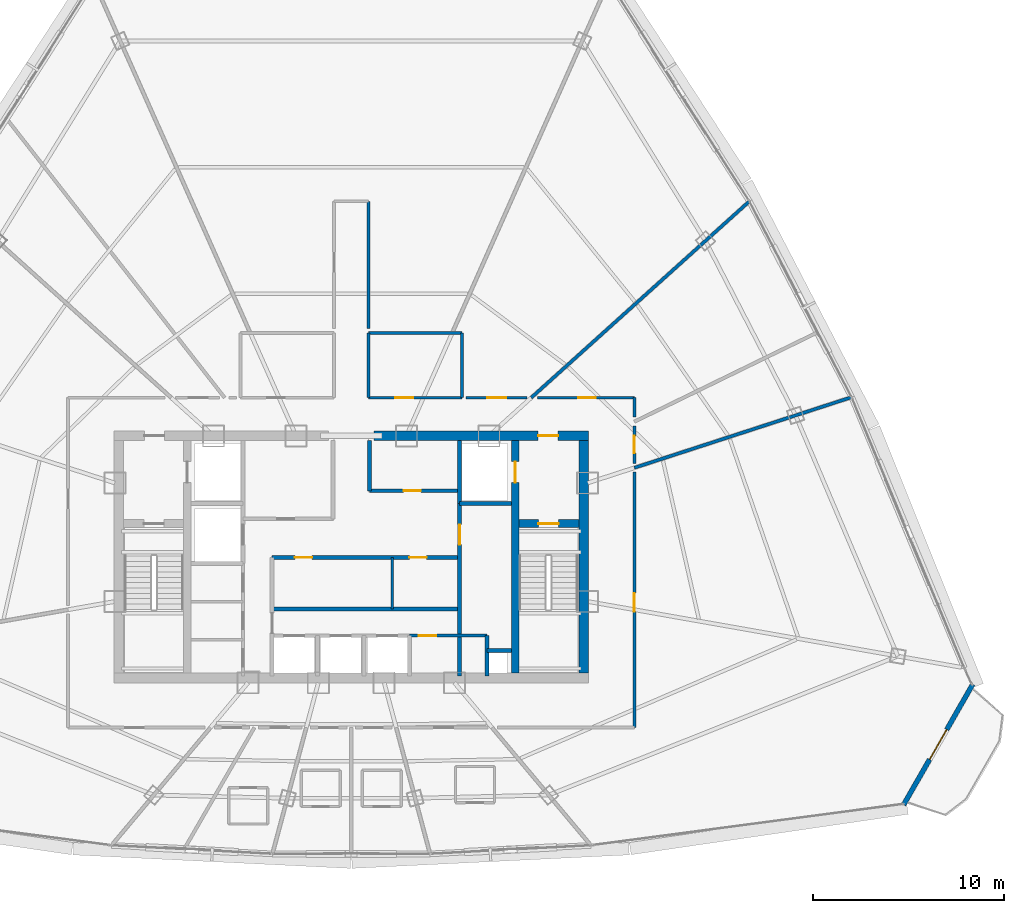
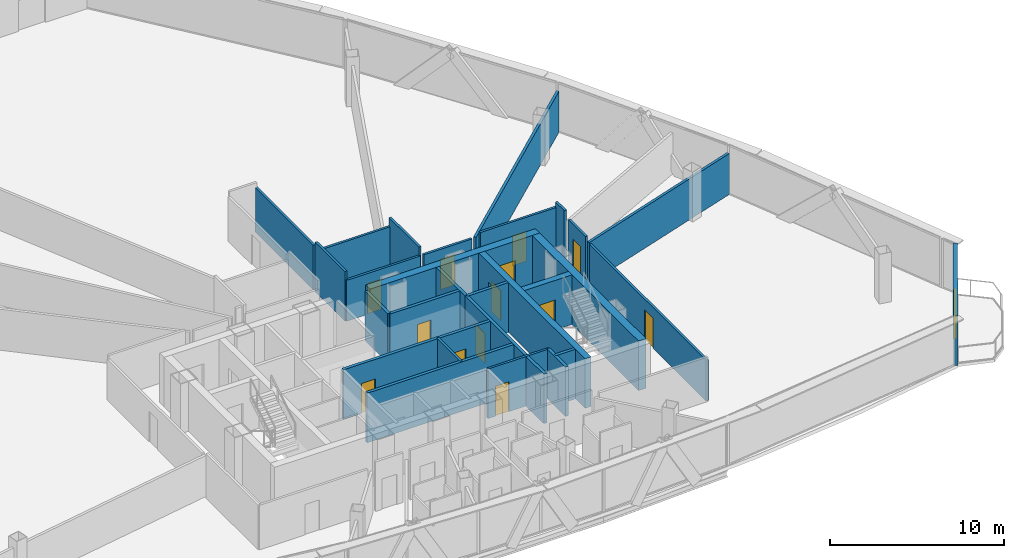
# One storey, part 33 of 37: 28 walls, 14 doors, 14 openings.
"""IFC4 building model written with IfcOpenShell, lengths in metres."""

from ifc_helpers import new_model, si_unit, direction, frame, frame_2d, origin, origin_with_axes, place, context, subcontext, project, spatial, rectangle, extrude, source, transform, mapped, material, layer, layer_set, type_object, element, fill, save


model = new_model("IFC4")

# Units and contexts
model_context = context("Model", 3, precision=1e-05, world=origin(), true_north=direction((0.0, 1.0)))
body_context = subcontext(model_context, "Body", "Model", "MODEL_VIEW")
ifc_project = project(units=[si_unit("LENGTHUNIT", "METRE"), si_unit("AREAUNIT", "SQUARE_METRE"), si_unit("VOLUMEUNIT", "CUBIC_METRE"), si_unit("PLANEANGLEUNIT", "RADIAN"), si_unit("MASSUNIT", "GRAM", prefix="KILO"), si_unit("THERMODYNAMICTEMPERATUREUNIT", "KELVIN"), si_unit("POWERUNIT", "WATT")], contexts=[model_context])

# Site, building, storey
site_placement = place(None, origin())
site = spatial("IfcSite", under=ifc_project, at=site_placement, CompositionType="ELEMENT")
building_placement = place(site_placement, origin())
building = spatial("IfcBuilding", under=site, at=building_placement, Name="Yunzhuo Pagoda Commons", CompositionType="ELEMENT")
storey_placement = place(building_placement, frame((0.0, 0.0, 277.56005859375)))
storey = spatial("IfcBuildingStorey", under=building, at=storey_placement, Name="L69", CompositionType="ELEMENT", Elevation=277.56005859375)

# Wall, opening, door
ifc_material_1 = material(Name="Precast concrete C40", Category="concrete")
ifc_layer_1 = layer(ifc_material_1, 0.260009765625)
ifc_layer_set_1 = layer_set([ifc_layer_1], Name="Precast concrete C40")
wall_type_1 = type_object("IfcWallType", Name="W-BAL1 Corner Balcony Threshold Wall 260", PredefinedType="STANDARD", material=ifc_layer_set_1)
wall_1_placement = place(storey_placement, frame((76.96630859375, 20.84912109375, 0.0), z_axis=(0.0, 0.0, 1.0), x_axis=(0.497929527106, 0.867217496385, 0.0)))
wall_1 = element("IfcWall", 1, at=wall_1_placement, inside=storey, type_object=wall_type_1, Name="L69 corner balcony wall V2", PredefinedType="STANDARD", context=body_context, shape_type="SweptSolid", body=[
    extrude(rectangle(XDim=7.29345703125, YDim=0.260009765625, at=frame_2d((3.646728515625, 0.0))), origin(), (0.0, 0.0, 1.0), 3.469970703125),
])
opening_1_placement = place(wall_1_placement, frame((2.74658203125, 0.0, 0.0)))
opening_1 = element("IfcOpeningElement", 2, at=opening_1_placement, cuts=wall_1, Name="Opening D-BAL1", PredefinedType="OPENING", context=body_context, shape_type="SweptSolid", body=[
    extrude(rectangle(XDim=1.800048828125, YDim=2.14990234375, at=frame_2d((0.89990234375, 1.074951171875))), frame((0.0, 0.14013671875, 0.0), z_axis=(0.0, -1.0, 0.0), x_axis=(1.0, 0.0, 0.0)), (0.0, 0.0, 1.0), 0.280029296875),
])
ifc_material_2 = material(Name="Anodized aluminium frame and tempered glazed leaf", Category="aluminium")
door_type_1 = type_object("IfcDoorType", Name="D-BAL1 Corner Balcony Sliding Glazed Door 1800x2150", OperationType="DOUBLE_DOOR_SLIDING", PredefinedType="DOOR", material=ifc_material_2)
shared_shape_1 = source(origin(), body_context, "Body", "SweptSolid", [
    extrude(rectangle(XDim=1.800048828125, YDim=2.14990234375, at=frame_2d((0.89990234375, 1.074951171875))), frame((0.0, 0.02490234375, 0.0), z_axis=(0.0, -1.0, 0.0), x_axis=(1.0, 0.0, 0.0)), (0.0, 0.0, 1.0), 0.050048828125),
])
door_1_placement = place(opening_1_placement, origin_with_axes())
door_1 = element("IfcDoor", 3, at=door_1_placement, inside=storey, type_object=door_type_1, Name="L69 corner balcony sliding door V2", OperationType="DOUBLE_DOOR_SLIDING", OverallHeight=2.14990234375, OverallWidth=1.800048828125, PredefinedType="DOOR", context=body_context, shape_type="MappedRepresentation", body=[
    mapped(shared_shape_1, transform((0.0, 0.0, 0.0), scale=1.0)),
])
fill(opening_1, door_1)

ifc_material_3 = material(Name="Concrete C50", Category="concrete")
ifc_layer_2 = layer(ifc_material_3, 0.5)
ifc_layer_set_2 = layer_set([ifc_layer_2], Name="Concrete C50")
wall_type_2 = type_object("IfcWallType", Name="W-C03 Upper Core Shear Wall 500", PredefinedType="SHEAR", material=ifc_layer_set_2)
wall_2_placement = place(storey_placement, frame((49.199951171875, 40.199951171875, 0.0), z_axis=(0.0, 0.0, 1.0), x_axis=(1.0, 0.0, 0.0)))
wall_2 = element("IfcWall", 4, at=wall_2_placement, inside=storey, type_object=wall_type_2, Name="L69 core shear wall NE", PredefinedType="SHEAR", context=body_context, shape_type="SweptSolid", body=[
    extrude(rectangle(XDim=11.25, YDim=0.5, at=frame_2d((5.625, 0.0))), origin(), (0.0, 0.0, 1.0), 3.469970703125),
])
opening_2_placement = place(wall_2_placement, frame((8.60009765625, 0.0, 0.0)))
opening_2 = element("IfcOpeningElement", 5, at=opening_2_placement, cuts=wall_2, Name="Opening D-02", PredefinedType="OPENING", context=body_context, shape_type="SweptSolid", body=[
    extrude(rectangle(XDim=1.050048828125, YDim=2.10009765625, at=frame_2d((0.52490234375, 1.050048828125))), frame((0.0, 0.260009765625, 0.0), z_axis=(0.0, -1.0, 0.0), x_axis=(1.0, 0.0, 0.0)), (0.0, 0.0, 1.0), 0.52001953125),
])
ifc_material_4 = material(Name="Galvanized fire-resisting metal leaf")
door_type_2 = type_object("IfcDoorType", Name="D-02 Firefighting Lobby & Refuge Fire Door 1050x2100", OperationType="NOTDEFINED", PredefinedType="DOOR", material=ifc_material_4)
shared_shape_2 = source(origin(), body_context, "Body", "SweptSolid", [
    extrude(rectangle(XDim=1.050048828125, YDim=2.10009765625, at=frame_2d((0.52490234375, 1.050048828125))), frame((0.0, 0.02490234375, 0.0), z_axis=(0.0, -1.0, 0.0), x_axis=(1.0, 0.0, 0.0)), (0.0, 0.0, 1.0), 0.050048828125),
])
door_2_placement = place(opening_2_placement, frame((1.050048828125, 0.0, 0.0), z_axis=(0.0, 0.0, 1.0), x_axis=(-1.0, 0.0, 0.0)))
door_2 = element("IfcDoor", 6, at=door_2_placement, inside=storey, type_object=door_type_2, Name="L69 Firefighting Lobby 2 fire door", OperationType="SINGLE_SWING_RIGHT", OverallHeight=2.10009765625, OverallWidth=1.050048828125, PredefinedType="DOOR", context=body_context, shape_type="MappedRepresentation", body=[
    mapped(shared_shape_2, transform((0.0, 0.0, 0.0), scale=1.0)),
])
fill(opening_2, door_2)

# Walls
wall_3_placement = place(storey_placement, frame((60.199951171875, 27.75, 0.0), z_axis=(0.0, 0.0, 1.0), x_axis=(0.0, 1.0, 0.0)))
element("IfcWall", 7, at=wall_3_placement, inside=storey, type_object=wall_type_2, Name="L69 core shear wall E", PredefinedType="SHEAR", context=body_context, shape_type="SweptSolid", body=[
    extrude(rectangle(XDim=12.199951171875, YDim=0.5, at=frame_2d((6.10009765625, 0.0))), origin(), (0.0, 0.0, 1.0), 3.469970703125),
])
ifc_material_5 = material(Name="Gypsum plasterboard on acoustic stud")
ifc_layer_3 = layer(ifc_material_5, 0.14990234375)
ifc_layer_set_3 = layer_set([ifc_layer_3], Name="Gypsum plasterboard on acoustic stud")
wall_type_3 = type_object("IfcWallType", Name="W-COR3 High-Zone Rated Corridor Wall 150", PredefinedType="PARTITIONING", material=ifc_layer_set_3)
wall_4_placement = place(storey_placement, frame((50.14990234375, 31.1201171875, 0.0), z_axis=(0.0, 0.0, 1.0), x_axis=(0.0, 1.0, 0.0)))
element("IfcWall", 8, at=wall_4_placement, inside=storey, type_object=wall_type_3, Name="L69 interior wall IW-L69-FRMD", PredefinedType="PARTITIONING", context=body_context, shape_type="SweptSolid", body=[
    extrude(rectangle(XDim=2.699951171875, YDim=0.14990234375, at=frame_2d((1.35009765625, 0.0))), origin(), (0.0, 0.0, 1.0), 3.469970703125),
])

# Wall, opening, door
wall_5_placement = place(storey_placement, frame((51.050048828125, 29.719970703125, 0.0), z_axis=(0.0, 0.0, 1.0), x_axis=(1.0, 0.0, 0.0)))
wall_5 = element("IfcWall", 9, at=wall_5_placement, inside=storey, type_object=wall_type_3, Name="L69 interior wall IW-L69-CSES", PredefinedType="PARTITIONING", context=body_context, shape_type="SweptSolid", body=[
    extrude(rectangle(XDim=4.070068359375, YDim=0.14990234375, at=frame_2d((2.03515625, 0.0))), origin(), (0.0, 0.0, 1.0), 3.469970703125),
])
opening_3_placement = place(wall_5_placement, frame((0.5, 0.0, 0.0)))
opening_3 = element("IfcOpeningElement", 10, at=opening_3_placement, cuts=wall_5, Name="Opening D-03", PredefinedType="OPENING", context=body_context, shape_type="SweptSolid", body=[
    extrude(rectangle(XDim=0.89990234375, YDim=2.10009765625, at=frame_2d((0.449951171875, 1.050048828125))), frame((0.0, 0.0849609375, 0.0), z_axis=(0.0, -1.0, 0.0), x_axis=(1.0, 0.0, 0.0)), (0.0, 0.0, 1.0), 0.169921875),
])
door_type_3 = type_object("IfcDoorType", Name="D-03 Core Service Fire Door 900x2100", OperationType="NOTDEFINED", PredefinedType="DOOR", material=ifc_material_4)
shared_shape_3 = source(origin(), body_context, "Body", "SweptSolid", [
    extrude(rectangle(XDim=0.89990234375, YDim=2.10009765625, at=frame_2d((0.449951171875, 1.050048828125))), frame((0.0, 0.02490234375, 0.0), z_axis=(0.0, -1.0, 0.0), x_axis=(1.0, 0.0, 0.0)), (0.0, 0.0, 1.0), 0.050048828125),
])
door_3_placement = place(opening_3_placement, origin_with_axes())
door_3 = element("IfcDoor", 11, at=door_3_placement, inside=storey, type_object=door_type_3, Name="L69 core pantry door", OperationType="SINGLE_SWING_RIGHT", OverallHeight=2.10009765625, OverallWidth=0.89990234375, PredefinedType="DOOR", context=body_context, shape_type="MappedRepresentation", body=[
    mapped(shared_shape_3, transform((0.0, 0.0, 0.0), scale=1.0)),
])
fill(opening_3, door_3)

wall_6_placement = place(storey_placement, frame((48.89990234375, 42.199951171875, 0.0), z_axis=(0.0, 0.0, 1.0), x_axis=(1.0, 0.0, 0.0)))
wall_6 = element("IfcWall", 12, at=wall_6_placement, inside=storey, type_object=wall_type_3, Name="L69 interior wall IW-L69-TFES", PredefinedType="PARTITIONING", context=body_context, shape_type="SweptSolid", body=[
    extrude(rectangle(XDim=4.900146484375, YDim=0.14990234375, at=frame_2d((2.4501953125, 0.0))), origin(), (0.0, 0.0, 1.0), 2.869873046875),
])
opening_4_placement = place(wall_6_placement, frame((1.39990234375, 0.0, 0.0)))
opening_4 = element("IfcOpeningElement", 13, at=opening_4_placement, cuts=wall_6, Name="Opening D-11", PredefinedType="OPENING", context=body_context, shape_type="SweptSolid", body=[
    extrude(rectangle(XDim=0.93994140625, YDim=2.10009765625, at=frame_2d((0.469970703125, 1.050048828125))), frame((0.0, 0.0849609375, 0.0), z_axis=(0.0, -1.0, 0.0), x_axis=(1.0, 0.0, 0.0)), (0.0, 0.0, 1.0), 0.169921875),
])
door_type_4 = type_object("IfcDoorType", Name="D-11 Accessible Washroom Fire Door 940x2100", OperationType="NOTDEFINED", PredefinedType="DOOR", material=ifc_material_4)
shared_shape_4 = source(origin(), body_context, "Body", "SweptSolid", [
    extrude(rectangle(XDim=0.93994140625, YDim=2.10009765625, at=frame_2d((0.469970703125, 1.050048828125))), frame((0.0, 0.02490234375, 0.0), z_axis=(0.0, -1.0, 0.0), x_axis=(1.0, 0.0, 0.0)), (0.0, 0.0, 1.0), 0.050048828125),
])
door_4_placement = place(opening_4_placement, frame((0.93994140625, 0.0, 0.0), z_axis=(0.0, 0.0, 1.0), x_axis=(-1.0, 0.0, 0.0)))
door_4 = element("IfcDoor", 14, at=door_4_placement, inside=storey, type_object=door_type_4, Name="L69 accessible WC door", OperationType="SINGLE_SWING_RIGHT", OverallHeight=2.10009765625, OverallWidth=0.93994140625, PredefinedType="DOOR", context=body_context, shape_type="MappedRepresentation", body=[
    mapped(shared_shape_4, transform((0.0, 0.0, 0.0), scale=1.0)),
])
fill(opening_4, door_4)

# Walls
wall_7_placement = place(storey_placement, frame((48.89990234375, 45.60009765625, 0.0), z_axis=(0.0, 0.0, 1.0), x_axis=(1.0, 0.0, 0.0)))
element("IfcWall", 15, at=wall_7_placement, inside=storey, type_object=wall_type_3, Name="L69 interior wall IW-L69-TFEN", PredefinedType="PARTITIONING", context=body_context, shape_type="SweptSolid", body=[
    extrude(rectangle(XDim=4.900146484375, YDim=0.14990234375, at=frame_2d((2.4501953125, 0.0))), origin(), (0.0, 0.0, 1.0), 2.869873046875),
])
for number, where, z_axis, x_axis, name in (
    (16, (48.89990234375, 42.199951171875, 0.0), (0.0, 0.0, 1.0), (0.0, 1.0, 0.0), "L69 interior wall IW-L69-TFEW"),
    (17, (53.800048828125, 42.199951171875, 0.0), (0.0, 0.0, 1.0), (0.0, 1.0, 0.0), "L69 interior wall IW-L69-TFEE"),
):
    element("IfcWall", number, at=place(storey_placement, frame(where, z_axis=z_axis, x_axis=x_axis)), inside=storey, type_object=wall_type_3, Name=name, PredefinedType="PARTITIONING", context=body_context, shape_type="SweptSolid", body=[
        extrude(rectangle(XDim=3.400146484375, YDim=0.14990234375, at=frame_2d((1.7001953125, 0.0))), origin(), (0.0, 0.0, 1.0), 3.469970703125),
    ])
wall_8_placement = place(storey_placement, frame((48.89990234375, 52.5, 0.0), z_axis=(0.0, 0.0, 1.0), x_axis=(0.0, -1.0, 0.0)))
element("IfcWall", 18, at=wall_8_placement, inside=storey, type_object=wall_type_3, Name="L69 interior wall IW-L69-CWL08", PredefinedType="PARTITIONING", context=body_context, shape_type="SweptSolid", body=[
    extrude(rectangle(XDim=6.679931640625, YDim=0.14990234375, at=frame_2d((3.33984375, 0.0))), origin(), (0.0, 0.0, 1.0), 3.119873046875),
])

# Wall, opening, door
wall_9_placement = place(storey_placement, frame((54.02001953125, 42.199951171875, 0.0), z_axis=(0.0, 0.0, 1.0), x_axis=(1.0, 0.0, 0.0)))
wall_9 = element("IfcWall", 19, at=wall_9_placement, inside=storey, type_object=wall_type_3, Name="L69 interior wall IW-L69-CWL09", PredefinedType="PARTITIONING", context=body_context, shape_type="SweptSolid", body=[
    extrude(rectangle(XDim=3.200439453125, YDim=0.14990234375, at=frame_2d((1.60009765625, 0.0))), origin(), (0.0, 0.0, 1.0), 2.869873046875),
])
opening_5_placement = place(wall_9_placement, frame((1.125, 0.0, 0.0)))
opening_5 = element("IfcOpeningElement", 20, at=opening_5_placement, cuts=wall_9, Name="Opening D-08", PredefinedType="OPENING", context=body_context, shape_type="SweptSolid", body=[
    extrude(rectangle(XDim=0.97998046875, YDim=2.1201171875, at=frame_2d((0.489990234375, 1.06005859375))), frame((0.0, 0.0849609375, 0.0), z_axis=(0.0, -1.0, 0.0), x_axis=(1.0, 0.0, 0.0)), (0.0, 0.0, 1.0), 0.169921875),
])
door_type_5 = type_object("IfcDoorType", Name="D-08 High-Zone Suite Entrance Fire Door 980x2120", OperationType="NOTDEFINED", PredefinedType="DOOR", material=ifc_material_4)
shared_shape_5 = source(origin(), body_context, "Body", "SweptSolid", [
    extrude(rectangle(XDim=0.97998046875, YDim=2.1201171875, at=frame_2d((0.489990234375, 1.06005859375))), frame((0.0, 0.02490234375, 0.0), z_axis=(0.0, -1.0, 0.0), x_axis=(1.0, 0.0, 0.0)), (0.0, 0.0, 1.0), 0.050048828125),
])
door_5_placement = place(opening_5_placement, origin_with_axes())
door_5 = element("IfcDoor", 21, at=door_5_placement, inside=storey, type_object=door_type_5, Name="L69 unit 03 entrance door", OperationType="SINGLE_SWING_LEFT", OverallHeight=2.1201171875, OverallWidth=0.97998046875, PredefinedType="DOOR", context=body_context, shape_type="MappedRepresentation", body=[
    mapped(shared_shape_5, transform((0.0, 0.0, 0.0), scale=1.0)),
])
fill(opening_5, door_5)

wall_10_placement = place(storey_placement, frame((57.76904296875, 42.199951171875, 0.0), z_axis=(0.0, 0.0, 1.0), x_axis=(1.0, 0.0, 0.0)))
wall_10 = element("IfcWall", 22, at=wall_10_placement, inside=storey, type_object=wall_type_3, Name="L69 interior wall IW-L69-CWL10", PredefinedType="PARTITIONING", context=body_context, shape_type="SweptSolid", body=[
    extrude(rectangle(XDim=5.0810546875, YDim=0.14990234375, at=frame_2d((2.54052734375, 0.0))), origin(), (0.0, 0.0, 1.0), 3.119873046875),
])
opening_6_placement = place(wall_10_placement, frame((2.14599609375, 0.0, 0.0)))
opening_6 = element("IfcOpeningElement", 23, at=opening_6_placement, cuts=wall_10, Name="Opening D-04", PredefinedType="OPENING", context=body_context, shape_type="SweptSolid", body=[
    extrude(rectangle(XDim=0.919921875, YDim=2.10009765625, at=frame_2d((0.4599609375, 1.050048828125))), frame((0.0, 0.0849609375, 0.0), z_axis=(0.0, -1.0, 0.0), x_axis=(1.0, 0.0, 0.0)), (0.0, 0.0, 1.0), 0.169921875),
])
ifc_material_6 = material(Name="Powder-coated aluminium and timber acoustic leaf", Category="wood")
door_type_6 = type_object("IfcDoorType", Name="D-04 Bedroom & Study Interior Door 920x2100", OperationType="NOTDEFINED", PredefinedType="DOOR", material=ifc_material_6)
shared_shape_6 = source(origin(), body_context, "Body", "SweptSolid", [
    extrude(rectangle(XDim=0.919921875, YDim=2.10009765625, at=frame_2d((0.4599609375, 1.050048828125))), frame((0.0, 0.02490234375, 0.0), z_axis=(0.0, -1.0, 0.0), x_axis=(1.0, 0.0, 0.0)), (0.0, 0.0, 1.0), 0.050048828125),
])
door_6_placement = place(opening_6_placement, origin_with_axes())
door_6 = element("IfcDoor", 24, at=door_6_placement, inside=storey, type_object=door_type_6, Name="L69 seminar room 02 door", OperationType="SINGLE_SWING_RIGHT", OverallHeight=2.10009765625, OverallWidth=0.919921875, PredefinedType="DOOR", context=body_context, shape_type="MappedRepresentation", body=[
    mapped(shared_shape_6, transform((0.0, 0.0, 0.0), scale=1.0)),
])
fill(opening_6, door_6)

# Wall
wall_11_placement = place(storey_placement, frame((62.85009765625, 42.199951171875, 0.0), z_axis=(0.0, 0.0, 1.0), x_axis=(0.0, -1.0, 0.0)))
element("IfcWall", 25, at=wall_11_placement, inside=storey, type_object=wall_type_3, Name="L69 interior wall IW-L69-CWL11", PredefinedType="PARTITIONING", context=body_context, shape_type="SweptSolid", body=[
    extrude(rectangle(XDim=1.012451171875, YDim=0.14990234375, at=frame_2d((0.50634765625, 0.0))), origin(), (0.0, 0.0, 1.0), 3.469970703125),
])

# Wall, opening, door
wall_12_placement = place(storey_placement, frame((62.85009765625, 40.722900390625, 0.0), z_axis=(0.0, 0.0, 1.0), x_axis=(0.0, -1.0, 0.0)))
wall_12 = element("IfcWall", 26, at=wall_12_placement, inside=storey, type_object=wall_type_3, Name="L69 interior wall IW-L69-CWL12", PredefinedType="PARTITIONING", context=body_context, shape_type="SweptSolid", body=[
    extrude(rectangle(XDim=1.966552734375, YDim=0.14990234375, at=frame_2d((0.9833984375, 0.0))), origin(), (0.0, 0.0, 1.0), 3.119873046875),
])
opening_7_placement = place(wall_12_placement, frame((0.529052734375, 0.0, 0.0)))
opening_7 = element("IfcOpeningElement", 27, at=opening_7_placement, cuts=wall_12, Name="Opening D-12", PredefinedType="OPENING", context=body_context, shape_type="SweptSolid", body=[
    extrude(rectangle(XDim=0.89990234375, YDim=2.080078125, at=frame_2d((0.449951171875, 1.0400390625))), frame((0.0, 0.0849609375, 0.0), z_axis=(0.0, -1.0, 0.0), x_axis=(1.0, 0.0, 0.0)), (0.0, 0.0, 1.0), 0.169921875),
])
door_type_7 = type_object("IfcDoorType", Name="D-12 Quiet Study Interior Door 900x2080", OperationType="NOTDEFINED", PredefinedType="DOOR", material=ifc_material_6)
shared_shape_7 = source(origin(), body_context, "Body", "SweptSolid", [
    extrude(rectangle(XDim=0.89990234375, YDim=2.080078125, at=frame_2d((0.449951171875, 1.0400390625))), frame((0.0, 0.02490234375, 0.0), z_axis=(0.0, -1.0, 0.0), x_axis=(1.0, 0.0, 0.0)), (0.0, 0.0, 1.0), 0.050048828125),
])
door_7_placement = place(opening_7_placement, origin_with_axes())
door_7 = element("IfcDoor", 28, at=door_7_placement, inside=storey, type_object=door_type_7, Name="L69 study lounge 01 door", OperationType="SINGLE_SWING_LEFT", OverallHeight=2.080078125, OverallWidth=0.89990234375, PredefinedType="DOOR", context=body_context, shape_type="MappedRepresentation", body=[
    mapped(shared_shape_7, transform((0.0, 0.0, 0.0), scale=1.0)),
])
fill(opening_7, door_7)

wall_13_placement = place(storey_placement, frame((62.85009765625, 38.305419921875, 0.0), z_axis=(0.0, 0.0, 1.0), x_axis=(0.0, -1.0, 0.0)))
wall_13 = element("IfcWall", 29, at=wall_13_placement, inside=storey, type_object=wall_type_3, Name="L69 interior wall IW-L69-CWL13", PredefinedType="PARTITIONING", context=body_context, shape_type="SweptSolid", body=[
    extrude(rectangle(XDim=13.405517578125, YDim=0.14990234375, at=frame_2d((6.70263671875, 0.0))), origin(), (0.0, 0.0, 1.0), 2.869873046875),
])
opening_8_placement = place(wall_13_placement, frame((6.347900390625, 0.0, 0.0)))
opening_8 = element("IfcOpeningElement", 30, at=opening_8_placement, cuts=wall_13, Name="Opening D-08", PredefinedType="OPENING", context=body_context, shape_type="SweptSolid", body=[
    extrude(rectangle(XDim=0.97998046875, YDim=2.1201171875, at=frame_2d((0.489990234375, 1.06005859375))), frame((0.0, 0.0849609375, 0.0), z_axis=(0.0, -1.0, 0.0), x_axis=(1.0, 0.0, 0.0)), (0.0, 0.0, 1.0), 0.169921875),
])
door_8_placement = place(opening_8_placement, origin_with_axes())
door_8 = element("IfcDoor", 31, at=door_8_placement, inside=storey, type_object=door_type_5, Name="L69 Resident Co-Living Commons Hall door", OperationType="SINGLE_SWING_RIGHT", OverallHeight=2.1201171875, OverallWidth=0.97998046875, PredefinedType="DOOR", context=body_context, shape_type="MappedRepresentation", body=[
    mapped(shared_shape_5, transform((0.0, 0.0, 0.0), scale=1.0)),
])
fill(opening_8, door_8)

# Walls
ifc_layer_4 = layer(ifc_material_5, 0.169921875)
ifc_layer_set_4 = layer_set([ifc_layer_4], Name="Gypsum plasterboard on acoustic stud")
wall_type_4 = type_object("IfcWallType", Name="W-PRT4 High-Zone Demising Wall 170", PredefinedType="PARTITIONING", material=ifc_layer_set_4)
wall_14_placement = place(storey_placement, frame((62.85009765625, 38.525146484375, 0.0), z_axis=(0.0, 0.0, 1.0), x_axis=(0.951059664494, 0.309007305047, 0.0)))
element("IfcWall", 32, at=wall_14_placement, inside=storey, type_object=wall_type_4, Name="L69 interior wall IW-L69-RAD01", PredefinedType="PARTITIONING", context=body_context, shape_type="SweptSolid", body=[
    extrude(rectangle(XDim=11.984619140625, YDim=0.169921875, at=frame_2d((5.9921875, 0.0))), origin(), (0.0, 0.0, 1.0), 2.869873046875),
])
wall_15_placement = place(storey_placement, frame((57.440185546875, 42.199951171875, 0.0), z_axis=(0.0, 0.0, 1.0), x_axis=(0.743145118403, 0.669130281032, 0.0)))
element("IfcWall", 33, at=wall_15_placement, inside=storey, type_object=wall_type_4, Name="L69 interior wall IW-L69-RAD03", PredefinedType="PARTITIONING", context=body_context, shape_type="SweptSolid", body=[
    extrude(rectangle(XDim=15.3974609375, YDim=0.169921875, at=frame_2d((7.69873046875, 0.0))), origin(), (0.0, 0.0, 1.0), 2.869873046875),
])

# Wall, opening, door
ifc_material_7 = material(Name="Concrete C60", Category="concrete")
ifc_layer_5 = layer(ifc_material_7, 0.39990234375)
ifc_layer_set_5 = layer_set([ifc_layer_5], Name="Concrete C60")
wall_type_5 = type_object("IfcWallType", Name="W-S01 Internal Core Shear Web 400", PredefinedType="SHEAR", material=ifc_layer_set_5)
wall_16_placement = place(storey_placement, frame((56.60009765625, 27.75, 0.0), z_axis=(0.0, 0.0, 1.0), x_axis=(0.0, 1.0, 0.0)))
wall_16 = element("IfcWall", 34, at=wall_16_placement, inside=storey, type_object=wall_type_5, Name="L69 core shear wall WEBE", PredefinedType="SHEAR", context=body_context, shape_type="SweptSolid", body=[
    extrude(rectangle(XDim=12.199951171875, YDim=0.39990234375, at=frame_2d((6.10009765625, 0.0))), origin(), (0.0, 0.0, 1.0), 3.469970703125),
])
opening_9_placement = place(wall_16_placement, frame((10.0, 0.0, 0.0)))
opening_9 = element("IfcOpeningElement", 35, at=opening_9_placement, cuts=wall_16, Name="Opening LD-01", PredefinedType="OPENING", context=body_context, shape_type="SweptSolid", body=[
    extrude(rectangle(XDim=1.10009765625, YDim=2.10009765625, at=frame_2d((0.550048828125, 1.050048828125))), frame((0.0, 0.2099609375, 0.0), z_axis=(0.0, -1.0, 0.0), x_axis=(1.0, 0.0, 0.0)), (0.0, 0.0, 1.0), 0.419921875),
])
door_type_8 = type_object("IfcDoorType", Name="LD-01 Firefighting Lift Landing Door 1100x2100", OperationType="DOUBLE_DOOR_SLIDING", PredefinedType="DOOR", material=ifc_material_4)
shared_shape_8 = source(origin(), body_context, "Body", "SweptSolid", [
    extrude(rectangle(XDim=1.10009765625, YDim=2.10009765625, at=frame_2d((0.550048828125, 1.050048828125))), frame((0.0, 0.02490234375, 0.0), z_axis=(0.0, -1.0, 0.0), x_axis=(1.0, 0.0, 0.0)), (0.0, 0.0, 1.0), 0.050048828125),
])
door_9_placement = place(opening_9_placement, origin_with_axes())
door_9 = element("IfcDoor", 36, at=door_9_placement, inside=storey, type_object=door_type_8, Name="L69 Firefighting lift FL-2 landing door", OperationType="DOUBLE_DOOR_SLIDING", OverallHeight=2.10009765625, OverallWidth=1.10009765625, PredefinedType="DOOR", context=body_context, shape_type="MappedRepresentation", body=[
    mapped(shared_shape_8, transform((0.0, 0.0, 0.0), scale=1.0)),
])
fill(opening_9, door_9)

wall_17_placement = place(storey_placement, frame((56.800048828125, 35.60009765625, 0.0), z_axis=(0.0, 0.0, 1.0), x_axis=(1.0, 0.0, 0.0)))
wall_17 = element("IfcWall", 37, at=wall_17_placement, inside=storey, type_object=wall_type_5, Name="L69 core shear wall STE", PredefinedType="SHEAR", context=body_context, shape_type="SweptSolid", body=[
    extrude(rectangle(XDim=3.14990234375, YDim=0.39990234375, at=frame_2d((1.574951171875, 0.0))), origin(), (0.0, 0.0, 1.0), 3.469970703125),
])
opening_10_placement = place(wall_17_placement, frame((1.02001953125, 0.0, 0.0)))
opening_10 = element("IfcOpeningElement", 38, at=opening_10_placement, cuts=wall_17, Name="Opening D-01", PredefinedType="OPENING", context=body_context, shape_type="SweptSolid", body=[
    extrude(rectangle(XDim=1.050048828125, YDim=2.10009765625, at=frame_2d((0.52490234375, 1.050048828125))), frame((0.0, 0.2099609375, 0.0), z_axis=(0.0, -1.0, 0.0), x_axis=(1.0, 0.0, 0.0)), (0.0, 0.0, 1.0), 0.419921875),
])
door_type_9 = type_object("IfcDoorType", Name="D-01 Smokeproof Stair Fire Door 1050x2100", OperationType="NOTDEFINED", PredefinedType="DOOR", material=ifc_material_4)
door_10_placement = place(opening_10_placement, frame((1.050048828125, 0.0, 0.0), z_axis=(0.0, 0.0, 1.0), x_axis=(-1.0, 0.0, 0.0)))
door_10 = element("IfcDoor", 39, at=door_10_placement, inside=storey, type_object=door_type_9, Name="L69 Stair ST2 fire door", OperationType="SINGLE_SWING_RIGHT", OverallHeight=2.10009765625, OverallWidth=1.050048828125, PredefinedType="DOOR", context=body_context, shape_type="MappedRepresentation", body=[
    mapped(shared_shape_2, transform((0.0, 0.0, 0.0), scale=1.0)),
])
fill(opening_10, door_10)

# Walls
ifc_material_8 = material(Name="Concrete C40", Category="concrete")
ifc_layer_6 = layer(ifc_material_8, 0.199951171875)
ifc_layer_set_6 = layer_set([ifc_layer_6], Name="Concrete C40")
wall_type_6 = type_object("IfcWallType", Name="W-SHF Shaft & Stair Enclosure Wall 200", PredefinedType="SOLIDWALL", material=ifc_layer_set_6)
wall_18_placement = place(storey_placement, frame((53.679931640625, 36.64990234375, 0.0), z_axis=(0.0, 0.0, 1.0), x_axis=(0.0, 1.0, 0.0)))
element("IfcWall", 40, at=wall_18_placement, inside=storey, type_object=wall_type_6, Name="L69 interior wall IW-L69-FL2W", PredefinedType="SOLIDWALL", context=body_context, shape_type="SweptSolid", body=[
    extrude(rectangle(XDim=3.300048828125, YDim=0.199951171875, at=frame_2d((1.64990234375, 0.0))), origin(), (0.0, 0.0, 1.0), 3.469970703125),
])
wall_19_placement = place(storey_placement, frame((53.679931640625, 36.64990234375, 0.0), z_axis=(0.0, 0.0, 1.0), x_axis=(1.0, 0.0, 0.0)))
element("IfcWall", 41, at=wall_19_placement, inside=storey, type_object=wall_type_6, Name="L69 interior wall IW-L69-FL2S", PredefinedType="SOLIDWALL", context=body_context, shape_type="SweptSolid", body=[
    extrude(rectangle(XDim=2.719970703125, YDim=0.199951171875, at=frame_2d((1.35986328125, 0.0))), origin(), (0.0, 0.0, 1.0), 3.469970703125),
])

# Wall, opening, door
wall_20_placement = place(storey_placement, frame((48.949951171875, 37.320068359375, 0.0), z_axis=(0.0, 0.0, 1.0), x_axis=(1.0, 0.0, 0.0)))
wall_20 = element("IfcWall", 42, at=wall_20_placement, inside=storey, type_object=wall_type_6, Name="L69 interior wall IW-L69-LBNE", PredefinedType="SOLIDWALL", context=body_context, shape_type="SweptSolid", body=[
    extrude(rectangle(XDim=4.72998046875, YDim=0.199951171875, at=frame_2d((2.364990234375, 0.0))), origin(), (0.0, 0.0, 1.0), 3.469970703125),
])
opening_11_placement = place(wall_20_placement, frame((1.800048828125, 0.0, 0.0)))
opening_11 = element("IfcOpeningElement", 43, at=opening_11_placement, cuts=wall_20, Name="Opening D-03", PredefinedType="OPENING", context=body_context, shape_type="SweptSolid", body=[
    extrude(rectangle(XDim=0.89990234375, YDim=2.10009765625, at=frame_2d((0.449951171875, 1.050048828125))), frame((0.0, 0.10986328125, 0.0), z_axis=(0.0, -1.0, 0.0), x_axis=(1.0, 0.0, 0.0)), (0.0, 0.0, 1.0), 0.219970703125),
])
door_11_placement = place(opening_11_placement, frame((0.89990234375, 0.0, 0.0), z_axis=(0.0, 0.0, 1.0), x_axis=(-1.0, 0.0, 0.0)))
door_11 = element("IfcDoor", 44, at=door_11_placement, inside=storey, type_object=door_type_3, Name="L69 core east store door", OperationType="SINGLE_SWING_RIGHT", OverallHeight=2.10009765625, OverallWidth=0.89990234375, PredefinedType="DOOR", context=body_context, shape_type="MappedRepresentation", body=[
    mapped(shared_shape_3, transform((0.0, 0.0, 0.0), scale=1.0)),
])
fill(opening_11, door_11)

# Wall
wall_21_placement = place(storey_placement, frame((48.949951171875, 37.320068359375, 0.0), z_axis=(0.0, 0.0, 1.0), x_axis=(0.0, 1.0, 0.0)))
element("IfcWall", 45, at=wall_21_placement, inside=storey, type_object=wall_type_6, Name="L69 interior wall IW-L69-THRE", PredefinedType="SOLIDWALL", context=body_context, shape_type="SweptSolid", body=[
    extrude(rectangle(XDim=2.6298828125, YDim=0.199951171875, at=frame_2d((1.31494140625, 0.0))), origin(), (0.0, 0.0, 1.0), 3.469970703125),
])

# Wall, openings, doors
wall_22_placement = place(storey_placement, frame((43.85009765625, 33.820068359375, 0.0), z_axis=(0.0, 0.0, 1.0), x_axis=(1.0, 0.0, 0.0)))
wall_22 = element("IfcWall", 46, at=wall_22_placement, inside=storey, type_object=wall_type_6, Name="L69 interior wall IW-L69-MLBS", PredefinedType="SOLIDWALL", context=body_context, shape_type="SweptSolid", body=[
    extrude(rectangle(XDim=9.829833984375, YDim=0.199951171875, at=frame_2d((4.9150390625, 0.0))), origin(), (0.0, 0.0, 1.0), 3.469970703125),
])
opening_12_placement = place(wall_22_placement, frame((1.199951171875, 0.0, 0.0)))
opening_12 = element("IfcOpeningElement", 47, at=opening_12_placement, cuts=wall_22, Name="Opening D-03", PredefinedType="OPENING", context=body_context, shape_type="SweptSolid", body=[
    extrude(rectangle(XDim=0.89990234375, YDim=2.10009765625, at=frame_2d((0.449951171875, 1.050048828125))), frame((0.0, 0.10986328125, 0.0), z_axis=(0.0, -1.0, 0.0), x_axis=(1.0, 0.0, 0.0)), (0.0, 0.0, 1.0), 0.219970703125),
])
opening_13_placement = place(wall_22_placement, frame((7.199951171875, 0.0, 0.0)))
opening_13 = element("IfcOpeningElement", 48, at=opening_13_placement, cuts=wall_22, Name="Opening D-03", PredefinedType="OPENING", context=body_context, shape_type="SweptSolid", body=[
    extrude(rectangle(XDim=0.89990234375, YDim=2.10009765625, at=frame_2d((0.449951171875, 1.050048828125))), frame((0.0, 0.10986328125, 0.0), z_axis=(0.0, -1.0, 0.0), x_axis=(1.0, 0.0, 0.0)), (0.0, 0.0, 1.0), 0.219970703125),
])
door_12_placement = place(opening_12_placement, origin_with_axes())
door_12 = element("IfcDoor", 49, at=door_12_placement, inside=storey, type_object=door_type_3, Name="L69 core mid-west store door", OperationType="SINGLE_SWING_LEFT", OverallHeight=2.10009765625, OverallWidth=0.89990234375, PredefinedType="DOOR", context=body_context, shape_type="MappedRepresentation", body=[
    mapped(shared_shape_3, transform((0.0, 0.0, 0.0), scale=1.0)),
])
fill(opening_12, door_12)
door_13_placement = place(opening_13_placement, origin_with_axes())
door_13 = element("IfcDoor", 50, at=door_13_placement, inside=storey, type_object=door_type_3, Name="L69 core mid-east store door", OperationType="SINGLE_SWING_RIGHT", OverallHeight=2.10009765625, OverallWidth=0.89990234375, PredefinedType="DOOR", context=body_context, shape_type="MappedRepresentation", body=[
    mapped(shared_shape_3, transform((0.0, 0.0, 0.0), scale=1.0)),
])
fill(opening_13, door_13)

# Wall, opening, door
wall_23_placement = place(storey_placement, frame((53.679931640625, 27.60009765625, 0.0), z_axis=(0.0, 0.0, 1.0), x_axis=(0.0, 1.0, 0.0)))
wall_23 = element("IfcWall", 51, at=wall_23_placement, inside=storey, type_object=wall_type_6, Name="L69 interior wall IW-L69-PLME", PredefinedType="SOLIDWALL", context=body_context, shape_type="SweptSolid", body=[
    extrude(rectangle(XDim=9.0498046875, YDim=0.199951171875, at=frame_2d((4.52490234375, 0.0))), origin(), (0.0, 0.0, 1.0), 3.469970703125),
])
opening_14_placement = place(wall_23_placement, frame((6.89990234375, 0.0, 0.0)))
opening_14 = element("IfcOpeningElement", 52, at=opening_14_placement, cuts=wall_23, Name="Opening D-02", PredefinedType="OPENING", context=body_context, shape_type="SweptSolid", body=[
    extrude(rectangle(XDim=1.050048828125, YDim=2.10009765625, at=frame_2d((0.52490234375, 1.050048828125))), frame((0.0, 0.10986328125, 0.0), z_axis=(0.0, -1.0, 0.0), x_axis=(1.0, 0.0, 0.0)), (0.0, 0.0, 1.0), 0.219970703125),
])
door_14_placement = place(opening_14_placement, origin_with_axes())
door_14 = element("IfcDoor", 53, at=door_14_placement, inside=storey, type_object=door_type_2, Name="L69 High-bank lift hall door", OperationType="SINGLE_SWING_RIGHT", OverallHeight=2.10009765625, OverallWidth=1.050048828125, PredefinedType="DOOR", context=body_context, shape_type="MappedRepresentation", body=[
    mapped(shared_shape_2, transform((0.0, 0.0, 0.0), scale=1.0)),
])
fill(opening_14, door_14)

# Walls
wall_24_placement = place(storey_placement, frame((43.85009765625, 31.1201171875, 0.0), z_axis=(0.0, 0.0, 1.0), x_axis=(1.0, 0.0, 0.0)))
element("IfcWall", 54, at=wall_24_placement, inside=storey, type_object=wall_type_6, Name="L69 interior wall IW-L69-PLMS2", PredefinedType="SOLIDWALL", context=body_context, shape_type="SweptSolid", body=[
    extrude(rectangle(XDim=9.829833984375, YDim=0.199951171875, at=frame_2d((4.9150390625, 0.0))), origin(), (0.0, 0.0, 1.0), 3.469970703125),
])
wall_25_placement = place(storey_placement, frame((55.1201171875, 27.60009765625, 0.0), z_axis=(0.0, 0.0, 1.0), x_axis=(0.0, 1.0, 0.0)))
element("IfcWall", 55, at=wall_25_placement, inside=storey, type_object=wall_type_6, Name="L69 interior wall IW-L69-RSHFW", PredefinedType="SOLIDWALL", context=body_context, shape_type="SweptSolid", body=[
    extrude(rectangle(XDim=2.119873046875, YDim=0.199951171875, at=frame_2d((1.06005859375, 0.0))), origin(), (0.0, 0.0, 1.0), 3.469970703125),
])
wall_26_placement = place(storey_placement, frame((55.1201171875, 28.949951171875, 0.0), z_axis=(0.0, 0.0, 1.0), x_axis=(1.0, 0.0, 0.0)))
element("IfcWall", 56, at=wall_26_placement, inside=storey, type_object=wall_type_6, Name="L69 interior wall IW-L69-RSHFN", PredefinedType="SOLIDWALL", context=body_context, shape_type="SweptSolid", body=[
    extrude(rectangle(XDim=1.27978515625, YDim=0.199951171875, at=frame_2d((0.639892578125, 0.0))), origin(), (0.0, 0.0, 1.0), 3.469970703125),
])

save(model, "model.ifc")
